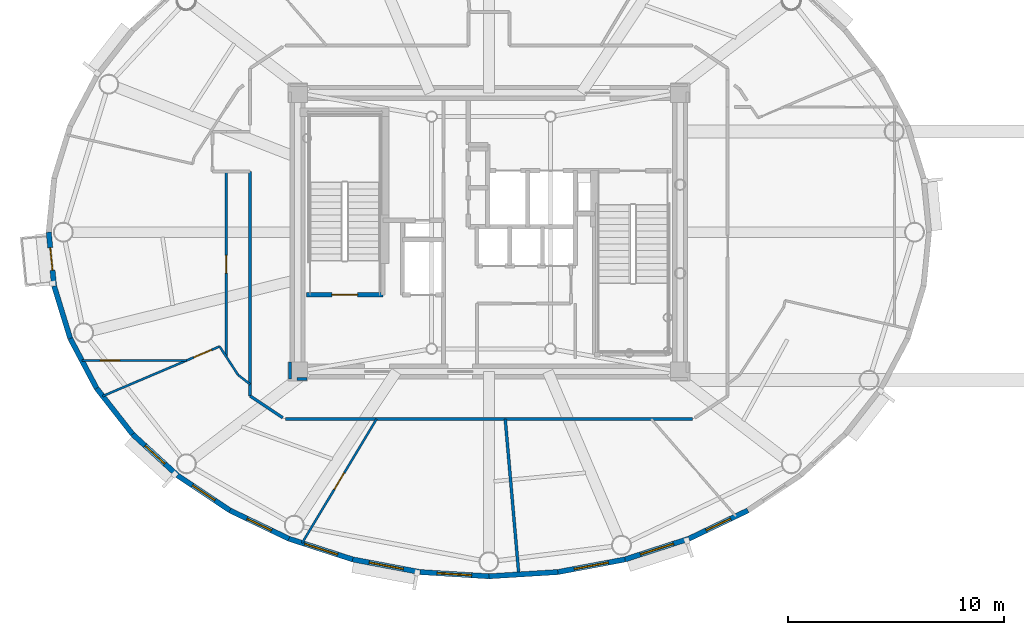
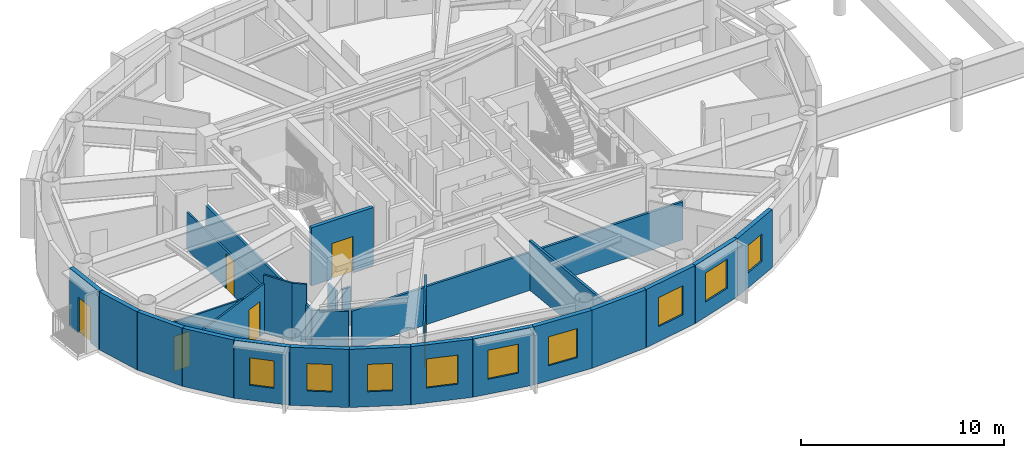
# One storey, part 6 of 16: 27 walls, 9 windows, 6 doors, 15 openings.
"""IFC4 building model written with IfcOpenShell, lengths in metres."""

from ifc_helpers import new_model, si_unit, direction, frame, frame_2d, origin, origin_2d, place, context, subcontext, project, spatial, rectangle, extrude, source, transform, mapped, material, layer, layer_set, type_object, element, fill, save


model = new_model("IFC4")

# Units and contexts
model_context = context("Model", 3, precision=1e-05, world=origin(), true_north=direction((0.0, 1.0)))
body_context = subcontext(model_context, "Body", "Model", "MODEL_VIEW")
ifc_project = project(units=[si_unit("LENGTHUNIT", "METRE"), si_unit("AREAUNIT", "SQUARE_METRE"), si_unit("VOLUMEUNIT", "CUBIC_METRE"), si_unit("PLANEANGLEUNIT", "RADIAN"), si_unit("MASSUNIT", "GRAM", prefix="KILO")], contexts=[model_context])

# Site, building, storey
site_placement = place(None, origin())
site = spatial("IfcSite", under=ifc_project, at=site_placement, CompositionType="ELEMENT")
building_placement = place(site_placement, origin())
building = spatial("IfcBuilding", under=site, at=building_placement, Name="Linh Dai School and Residence Tower", CompositionType="ELEMENT")
storey_placement = place(building_placement, frame((0.0, 0.0, 343.0)))
storey = spatial("IfcBuildingStorey", under=building, at=storey_placement, Name="L85", CompositionType="ELEMENT", Elevation=343.0)

# Wall, opening, door
ifc_material_1 = material(Name="Precast Concrete B45 (C35/45)", Category="concrete")
ifc_layer_1 = layer(ifc_material_1, 0.239990234375)
ifc_layer_set_1 = layer_set([ifc_layer_1], Name="Precast Concrete B45 (C35/45)")
wall_type_1 = type_object("IfcWallType", Name="EW-TC-240", PredefinedType="SOLIDWALL", material=ifc_layer_set_1)
wall_1_placement = place(storey_placement, frame((15.875, 24.51318359375, 0.0), z_axis=(0.0, 0.0, 1.0), x_axis=(-0.100025963401, 0.994984827344, 0.0)))
wall_1 = element("IfcWall", 1, at=wall_1_placement, inside=storey, type_object=wall_type_1, Name="L85 Terracotta Exterior Wall 21", PredefinedType="SOLIDWALL", context=body_context, shape_type="SweptSolid", body=[
    extrude(rectangle(XDim=2.499267578125, YDim=0.239990234375, at=frame_2d((1.24951171875, 0.0))), origin(), (0.0, 0.0, 1.0), 3.5),
])
opening_1_placement = place(wall_1_placement, frame((0.724609375, 0.0, 0.0)))
opening_1 = element("IfcOpeningElement", 2, at=opening_1_placement, cuts=wall_1, Name="Opening BD1", PredefinedType="OPENING", context=body_context, shape_type="SweptSolid", body=[
    extrude(rectangle(XDim=1.050048828125, YDim=2.14990234375, at=origin_2d()), frame((0.52490234375, 0.1298828125, 1.074951171875), z_axis=(0.0, -1.0, 0.0), x_axis=(1.0, 0.0, 0.0)), (0.0, 0.0, 1.0), 0.260009765625),
])
ifc_material_2 = material(Name="Double-Glazed Balcony Door", Category="glass")
door_type_1 = type_object("IfcDoorType", Name="DR-BALC-1050x2150", OperationType="NOTDEFINED", PredefinedType="DOOR", material=ifc_material_2)
shared_shape_1 = source(origin(), body_context, "Body", "SweptSolid", [
    extrude(rectangle(XDim=1.050048828125, YDim=2.14990234375, at=origin_2d()), frame((0.52490234375, 0.02490234375, 1.074951171875), z_axis=(0.0, -1.0, 0.0), x_axis=(1.0, 0.0, 0.0)), (0.0, 0.0, 1.0), 0.050048828125),
])
door_1_placement = place(opening_1_placement, origin())
door_1 = element("IfcDoor", 3, at=door_1_placement, inside=storey, type_object=door_type_1, Name="L85 Glazed Balcony Door 21", OperationType="SINGLE_SWING_LEFT", OverallHeight=2.14990234375, OverallWidth=1.050048828125, PredefinedType="DOOR", context=body_context, shape_type="MappedRepresentation", body=[
    mapped(shared_shape_1, transform((0.0, 0.0, 0.0), x_axis=(1.0, 0.0, 0.0), y_axis=(0.0, 1.0, 0.0), z_axis=(0.0, 0.0, 1.0), scale=1.0)),
])
fill(opening_1, door_1)

# Walls
wall_2_placement = place(storey_placement, frame((16.618896484375, 22.086669921875, 0.0), z_axis=(0.0, 0.0, 1.0), x_axis=(-0.293105547213, 0.956080089842, 0.0)))
element("IfcWall", 4, at=wall_2_placement, inside=storey, type_object=wall_type_1, Name="L85 Terracotta Exterior Wall 22", PredefinedType="SOLIDWALL", context=body_context, shape_type="SweptSolid", body=[
    extrude(rectangle(XDim=2.5380859375, YDim=0.239990234375, at=frame_2d((1.26904296875, 0.0))), origin(), (0.0, 0.0, 1.0), 3.5),
])
wall_3_placement = place(storey_placement, frame((17.839111328125, 19.779296875, 0.0), z_axis=(0.0, 0.0, 1.0), x_axis=(-0.467487999989, 0.883999417345, 0.0)))
element("IfcWall", 5, at=wall_3_placement, inside=storey, type_object=wall_type_1, Name="L85 Terracotta Exterior Wall 23", PredefinedType="SOLIDWALL", context=body_context, shape_type="SweptSolid", body=[
    extrude(rectangle(XDim=2.610107421875, YDim=0.239990234375, at=frame_2d((1.30517578125, 0.0))), origin(), (0.0, 0.0, 1.0), 3.5),
])
wall_4_placement = place(storey_placement, frame((19.5068359375, 17.648193359375, 0.0), z_axis=(0.0, 0.0, 1.0), x_axis=(-0.616286367698, 0.78752213492, 0.0)))
element("IfcWall", 6, at=wall_4_placement, inside=storey, type_object=wall_type_1, Name="L85 Terracotta Exterior Wall 24", PredefinedType="SOLIDWALL", context=body_context, shape_type="SweptSolid", body=[
    extrude(rectangle(XDim=2.7060546875, YDim=0.239990234375, at=frame_2d((1.35302734375, 0.0))), origin(), (0.0, 0.0, 1.0), 3.5),
])

# Wall, opening, window
wall_5_placement = place(storey_placement, frame((21.581298828125, 15.745849609375, 0.0), z_axis=(0.0, 0.0, 1.0), x_axis=(-0.737020907932, 0.675869944051, 0.0)))
wall_5 = element("IfcWall", 7, at=wall_5_placement, inside=storey, type_object=wall_type_1, Name="L85 Terracotta Exterior Wall 25", PredefinedType="SOLIDWALL", context=body_context, shape_type="SweptSolid", body=[
    extrude(rectangle(XDim=2.814697265625, YDim=0.239990234375, at=frame_2d((1.4072265625, 0.0))), origin(), (0.0, 0.0, 1.0), 3.5),
])
opening_2_placement = place(wall_5_placement, frame((0.781982421875, 0.0, 0.89990234375)))
opening_2 = element("IfcOpeningElement", 8, at=opening_2_placement, cuts=wall_5, Name="Opening W3", PredefinedType="OPENING", context=body_context, shape_type="SweptSolid", body=[
    extrude(rectangle(XDim=1.25, YDim=1.64990234375, at=origin_2d()), frame((0.625, 0.1298828125, 0.824951171875), z_axis=(0.0, -1.0, 0.0), x_axis=(1.0, 0.0, 0.0)), (0.0, 0.0, 1.0), 0.260009765625),
])
ifc_material_3 = material(Name="Double Low-E Insulated Glazing", Category="glass")
window_type_1 = type_object("IfcWindowType", Name="WN-RES-1250x1650", PartitioningType="SINGLE_PANEL", PredefinedType="WINDOW", material=ifc_material_3)
shared_shape_2 = source(origin(), body_context, "Body", "SweptSolid", [
    extrude(rectangle(XDim=1.25, YDim=1.64990234375, at=origin_2d()), frame((0.625, 0.030029296875, 0.824951171875), z_axis=(0.0, -1.0, 0.0), x_axis=(1.0, 0.0, 0.0)), (0.0, 0.0, 1.0), 0.06005859375),
])
window_1_placement = place(opening_2_placement, origin())
window_1 = element("IfcWindow", 9, at=window_1_placement, inside=storey, type_object=window_type_1, Name="L85 Exterior Window 25.1", OverallHeight=1.64990234375, OverallWidth=1.25, PartitioningType="SINGLE_PANEL", PredefinedType="WINDOW", context=body_context, shape_type="MappedRepresentation", body=[
    mapped(shared_shape_2, transform((0.0, 0.0, 0.0), x_axis=(1.0, 0.0, 0.0), y_axis=(0.0, 1.0, 0.0), z_axis=(0.0, 0.0, 1.0), scale=1.0)),
])
fill(opening_2, window_1)

wall_6_placement = place(storey_placement, frame((24.01220703125, 14.119873046875, 0.0), z_axis=(0.0, 0.0, 1.0), x_axis=(-0.831201688654, 0.555970999944, 0.0)))
wall_6 = element("IfcWall", 10, at=wall_6_placement, inside=storey, type_object=wall_type_1, Name="L85 Terracotta Exterior Wall 26", PredefinedType="SOLIDWALL", context=body_context, shape_type="SweptSolid", body=[
    extrude(rectangle(XDim=2.924560546875, YDim=0.239990234375, at=frame_2d((1.46240234375, 0.0))), origin(), (0.0, 0.0, 1.0), 3.5),
])
opening_3_placement = place(wall_6_placement, frame((0.837158203125, 0.0, 0.89990234375)))
opening_3 = element("IfcOpeningElement", 11, at=opening_3_placement, cuts=wall_6, Name="Opening W3", PredefinedType="OPENING", context=body_context, shape_type="SweptSolid", body=[
    extrude(rectangle(XDim=1.25, YDim=1.64990234375, at=origin_2d()), frame((0.625, 0.1298828125, 0.824951171875), z_axis=(0.0, -1.0, 0.0), x_axis=(1.0, 0.0, 0.0)), (0.0, 0.0, 1.0), 0.260009765625),
])
window_2_placement = place(opening_3_placement, origin())
window_2 = element("IfcWindow", 12, at=window_2_placement, inside=storey, type_object=window_type_1, Name="L85 Exterior Window 26.1", OverallHeight=1.64990234375, OverallWidth=1.25, PartitioningType="SINGLE_PANEL", PredefinedType="WINDOW", context=body_context, shape_type="MappedRepresentation", body=[
    mapped(shared_shape_2, transform((0.0, 0.0, 0.0), x_axis=(1.0, 0.0, 0.0), y_axis=(0.0, 1.0, 0.0), z_axis=(0.0, 0.0, 1.0), scale=1.0)),
])
fill(opening_3, window_2)

wall_7_placement = place(storey_placement, frame((26.739501953125, 12.81103515625, 0.0), z_axis=(0.0, 0.0, 1.0), x_axis=(-0.901557057889, 0.432660226241, 0.0)))
wall_7 = element("IfcWall", 13, at=wall_7_placement, inside=storey, type_object=wall_type_1, Name="L85 Terracotta Exterior Wall 27", PredefinedType="SOLIDWALL", context=body_context, shape_type="SweptSolid", body=[
    extrude(rectangle(XDim=3.025146484375, YDim=0.239990234375, at=frame_2d((1.5126953125, 0.0))), origin(), (0.0, 0.0, 1.0), 3.5),
])
opening_4_placement = place(wall_7_placement, frame((0.887451171875, 0.0, 0.89990234375)))
opening_4 = element("IfcOpeningElement", 14, at=opening_4_placement, cuts=wall_7, Name="Opening W3", PredefinedType="OPENING", context=body_context, shape_type="SweptSolid", body=[
    extrude(rectangle(XDim=1.25, YDim=1.64990234375, at=origin_2d()), frame((0.625, 0.1298828125, 0.824951171875), z_axis=(0.0, -1.0, 0.0), x_axis=(1.0, 0.0, 0.0)), (0.0, 0.0, 1.0), 0.260009765625),
])
window_3_placement = place(opening_4_placement, origin())
window_3 = element("IfcWindow", 15, at=window_3_placement, inside=storey, type_object=window_type_1, Name="L85 Exterior Window 27.1", OverallHeight=1.64990234375, OverallWidth=1.25, PartitioningType="SINGLE_PANEL", PredefinedType="WINDOW", context=body_context, shape_type="MappedRepresentation", body=[
    mapped(shared_shape_2, transform((0.0, 0.0, 0.0), x_axis=(1.0, 0.0, 0.0), y_axis=(0.0, 1.0, 0.0), z_axis=(0.0, 0.0, 1.0), scale=1.0)),
])
fill(opening_4, window_3)

wall_8_placement = place(storey_placement, frame((29.696044921875, 11.85205078125, 0.0), z_axis=(0.0, 0.0, 1.0), x_axis=(-0.951212850731, 0.308535431682, 0.0)))
wall_8 = element("IfcWall", 16, at=wall_8_placement, inside=storey, type_object=wall_type_1, Name="L85 Terracotta Exterior Wall 28", PredefinedType="SOLIDWALL", context=body_context, shape_type="SweptSolid", body=[
    extrude(rectangle(XDim=3.108154296875, YDim=0.239990234375, at=frame_2d((1.55419921875, 0.0))), origin(), (0.0, 0.0, 1.0), 3.5),
])
opening_5_placement = place(wall_8_placement, frame((0.734375, 0.0, 0.89990234375)))
opening_5 = element("IfcOpeningElement", 17, at=opening_5_placement, cuts=wall_8, Name="Opening W2", PredefinedType="OPENING", context=body_context, shape_type="SweptSolid", body=[
    extrude(rectangle(XDim=1.60009765625, YDim=1.75, at=origin_2d()), frame((0.800048828125, 0.1298828125, 0.875), z_axis=(0.0, -1.0, 0.0), x_axis=(1.0, 0.0, 0.0)), (0.0, 0.0, 1.0), 0.260009765625),
])
window_type_2 = type_object("IfcWindowType", Name="WN-RES-1600x1750", PartitioningType="DOUBLE_PANEL_VERTICAL", PredefinedType="WINDOW", material=ifc_material_3)
shared_shape_3 = source(origin(), body_context, "Body", "SweptSolid", [
    extrude(rectangle(XDim=1.60009765625, YDim=1.75, at=origin_2d()), frame((0.800048828125, 0.030029296875, 0.875), z_axis=(0.0, -1.0, 0.0), x_axis=(1.0, 0.0, 0.0)), (0.0, 0.0, 1.0), 0.06005859375),
])
window_4_placement = place(opening_5_placement, origin())
window_4 = element("IfcWindow", 18, at=window_4_placement, inside=storey, type_object=window_type_2, Name="L85 Exterior Window 28.1", OverallHeight=1.75, OverallWidth=1.60009765625, PartitioningType="DOUBLE_PANEL_VERTICAL", PredefinedType="WINDOW", context=body_context, shape_type="MappedRepresentation", body=[
    mapped(shared_shape_3, transform((0.0, 0.0, 0.0), x_axis=(1.0, 0.0, 0.0), y_axis=(0.0, 1.0, 0.0), z_axis=(0.0, 0.0, 1.0), scale=1.0)),
])
fill(opening_5, window_4)

wall_9_placement = place(storey_placement, frame((32.80859375, 11.2666015625, 0.0), z_axis=(0.0, 0.0, 1.0), x_axis=(-0.98276643264, 0.184851667226, 0.0)))
wall_9 = element("IfcWall", 19, at=wall_9_placement, inside=storey, type_object=wall_type_1, Name="L85 Terracotta Exterior Wall 29", PredefinedType="SOLIDWALL", context=body_context, shape_type="SweptSolid", body=[
    extrude(rectangle(XDim=3.167236328125, YDim=0.239990234375, at=frame_2d((1.58349609375, 0.0))), origin(), (0.0, 0.0, 1.0), 3.5),
])
opening_6_placement = place(wall_9_placement, frame((0.783447265625, 0.0, 0.89990234375)))
opening_6 = element("IfcOpeningElement", 20, at=opening_6_placement, cuts=wall_9, Name="Opening W2", PredefinedType="OPENING", context=body_context, shape_type="SweptSolid", body=[
    extrude(rectangle(XDim=1.60009765625, YDim=1.75, at=origin_2d()), frame((0.800048828125, 0.1298828125, 0.875), z_axis=(0.0, -1.0, 0.0), x_axis=(1.0, 0.0, 0.0)), (0.0, 0.0, 1.0), 0.260009765625),
])
window_5_placement = place(opening_6_placement, origin())
window_5 = element("IfcWindow", 21, at=window_5_placement, inside=storey, type_object=window_type_2, Name="L85 Exterior Window 29.1", OverallHeight=1.75, OverallWidth=1.60009765625, PartitioningType="DOUBLE_PANEL_VERTICAL", PredefinedType="WINDOW", context=body_context, shape_type="MappedRepresentation", body=[
    mapped(shared_shape_3, transform((0.0, 0.0, 0.0), x_axis=(1.0, 0.0, 0.0), y_axis=(0.0, 1.0, 0.0), z_axis=(0.0, 0.0, 1.0), scale=1.0)),
])
fill(opening_6, window_5)

wall_10_placement = place(storey_placement, frame((36.0, 11.070068359375, 0.0), z_axis=(0.0, 0.0, 1.0), x_axis=(-0.998109204399, 0.061465568355, 0.0)))
wall_10 = element("IfcWall", 22, at=wall_10_placement, inside=storey, type_object=wall_type_1, Name="L85 Terracotta Exterior Wall 30", PredefinedType="SOLIDWALL", context=body_context, shape_type="SweptSolid", body=[
    extrude(rectangle(XDim=3.197509765625, YDim=0.239990234375, at=frame_2d((1.5986328125, 0.0))), origin(), (0.0, 0.0, 1.0), 3.5),
])
opening_7_placement = place(wall_10_placement, frame((0.798828125, 0.0, 0.89990234375)))
opening_7 = element("IfcOpeningElement", 23, at=opening_7_placement, cuts=wall_10, Name="Opening W2", PredefinedType="OPENING", context=body_context, shape_type="SweptSolid", body=[
    extrude(rectangle(XDim=1.60009765625, YDim=1.75, at=origin_2d()), frame((0.800048828125, 0.1298828125, 0.875), z_axis=(0.0, -1.0, 0.0), x_axis=(1.0, 0.0, 0.0)), (0.0, 0.0, 1.0), 0.260009765625),
])
window_6_placement = place(opening_7_placement, origin())
window_6 = element("IfcWindow", 24, at=window_6_placement, inside=storey, type_object=window_type_2, Name="L85 Exterior Window 30.1", OverallHeight=1.75, OverallWidth=1.60009765625, PartitioningType="DOUBLE_PANEL_VERTICAL", PredefinedType="WINDOW", context=body_context, shape_type="MappedRepresentation", body=[
    mapped(shared_shape_3, transform((0.0, 0.0, 0.0), x_axis=(1.0, 0.0, 0.0), y_axis=(0.0, 1.0, 0.0), z_axis=(0.0, 0.0, 1.0), scale=1.0)),
])
fill(opening_7, window_6)

# Wall
wall_11_placement = place(storey_placement, frame((39.19140625, 11.2666015625, 0.0), z_axis=(0.0, 0.0, 1.0), x_axis=(-0.998109204399, -0.061465568355, 0.0)))
element("IfcWall", 25, at=wall_11_placement, inside=storey, type_object=wall_type_1, Name="L85 Terracotta Exterior Wall 31", PredefinedType="SOLIDWALL", context=body_context, shape_type="SweptSolid", body=[
    extrude(rectangle(XDim=3.197509765625, YDim=0.239990234375, at=frame_2d((1.5986328125, 0.0))), origin(), (0.0, 0.0, 1.0), 3.5),
])

# Wall, opening, window
wall_12_placement = place(storey_placement, frame((42.303955078125, 11.85205078125, 0.0), z_axis=(0.0, 0.0, 1.0), x_axis=(-0.98276643264, -0.184851667226, 0.0)))
wall_12 = element("IfcWall", 26, at=wall_12_placement, inside=storey, type_object=wall_type_1, Name="L85 Terracotta Exterior Wall 32", PredefinedType="SOLIDWALL", context=body_context, shape_type="SweptSolid", body=[
    extrude(rectangle(XDim=3.167236328125, YDim=0.239990234375, at=frame_2d((1.58349609375, 0.0))), origin(), (0.0, 0.0, 1.0), 3.5),
])
opening_8_placement = place(wall_12_placement, frame((0.78369140625, 0.0, 0.89990234375)))
opening_8 = element("IfcOpeningElement", 27, at=opening_8_placement, cuts=wall_12, Name="Opening W2", PredefinedType="OPENING", context=body_context, shape_type="SweptSolid", body=[
    extrude(rectangle(XDim=1.60009765625, YDim=1.75, at=origin_2d()), frame((0.800048828125, 0.1298828125, 0.875), z_axis=(0.0, -1.0, 0.0), x_axis=(1.0, 0.0, 0.0)), (0.0, 0.0, 1.0), 0.260009765625),
])
window_7_placement = place(opening_8_placement, origin())
window_7 = element("IfcWindow", 28, at=window_7_placement, inside=storey, type_object=window_type_2, Name="L85 Exterior Window 32.1", OverallHeight=1.75, OverallWidth=1.60009765625, PartitioningType="DOUBLE_PANEL_VERTICAL", PredefinedType="WINDOW", context=body_context, shape_type="MappedRepresentation", body=[
    mapped(shared_shape_3, transform((0.0, 0.0, 0.0), x_axis=(1.0, 0.0, 0.0), y_axis=(0.0, 1.0, 0.0), z_axis=(0.0, 0.0, 1.0), scale=1.0)),
])
fill(opening_8, window_7)

wall_13_placement = place(storey_placement, frame((45.260498046875, 12.81103515625, 0.0), z_axis=(0.0, 0.0, 1.0), x_axis=(-0.951212850731, -0.308535431682, 0.0)))
wall_13 = element("IfcWall", 29, at=wall_13_placement, inside=storey, type_object=wall_type_1, Name="L85 Terracotta Exterior Wall 33", PredefinedType="SOLIDWALL", context=body_context, shape_type="SweptSolid", body=[
    extrude(rectangle(XDim=3.108154296875, YDim=0.239990234375, at=frame_2d((1.55419921875, 0.0))), origin(), (0.0, 0.0, 1.0), 3.5),
])
opening_9_placement = place(wall_13_placement, frame((0.754150390625, 0.0, 0.89990234375)))
opening_9 = element("IfcOpeningElement", 30, at=opening_9_placement, cuts=wall_13, Name="Opening W2", PredefinedType="OPENING", context=body_context, shape_type="SweptSolid", body=[
    extrude(rectangle(XDim=1.60009765625, YDim=1.75, at=origin_2d()), frame((0.800048828125, 0.1298828125, 0.875), z_axis=(0.0, -1.0, 0.0), x_axis=(1.0, 0.0, 0.0)), (0.0, 0.0, 1.0), 0.260009765625),
])
window_8_placement = place(opening_9_placement, origin())
window_8 = element("IfcWindow", 31, at=window_8_placement, inside=storey, type_object=window_type_2, Name="L85 Exterior Window 33.1", OverallHeight=1.75, OverallWidth=1.60009765625, PartitioningType="DOUBLE_PANEL_VERTICAL", PredefinedType="WINDOW", context=body_context, shape_type="MappedRepresentation", body=[
    mapped(shared_shape_3, transform((0.0, 0.0, 0.0), x_axis=(1.0, 0.0, 0.0), y_axis=(0.0, 1.0, 0.0), z_axis=(0.0, 0.0, 1.0), scale=1.0)),
])
fill(opening_9, window_8)

wall_14_placement = place(storey_placement, frame((47.98779296875, 14.119873046875, 0.0), z_axis=(0.0, 0.0, 1.0), x_axis=(-0.901557057889, -0.432660226241, 0.0)))
wall_14 = element("IfcWall", 32, at=wall_14_placement, inside=storey, type_object=wall_type_1, Name="L85 Terracotta Exterior Wall 34", PredefinedType="SOLIDWALL", context=body_context, shape_type="SweptSolid", body=[
    extrude(rectangle(XDim=3.025146484375, YDim=0.239990234375, at=frame_2d((1.5126953125, 0.0))), origin(), (0.0, 0.0, 1.0), 3.5),
])
opening_10_placement = place(wall_14_placement, frame((0.8876953125, 0.0, 0.89990234375)))
opening_10 = element("IfcOpeningElement", 33, at=opening_10_placement, cuts=wall_14, Name="Opening W3", PredefinedType="OPENING", context=body_context, shape_type="SweptSolid", body=[
    extrude(rectangle(XDim=1.25, YDim=1.64990234375, at=origin_2d()), frame((0.625, 0.1298828125, 0.824951171875), z_axis=(0.0, -1.0, 0.0), x_axis=(1.0, 0.0, 0.0)), (0.0, 0.0, 1.0), 0.260009765625),
])
window_9_placement = place(opening_10_placement, origin())
window_9 = element("IfcWindow", 34, at=window_9_placement, inside=storey, type_object=window_type_1, Name="L85 Exterior Window 34.1", OverallHeight=1.64990234375, OverallWidth=1.25, PartitioningType="SINGLE_PANEL", PredefinedType="WINDOW", context=body_context, shape_type="MappedRepresentation", body=[
    mapped(shared_shape_2, transform((0.0, 0.0, 0.0), x_axis=(1.0, 0.0, 0.0), y_axis=(0.0, 1.0, 0.0), z_axis=(0.0, 0.0, 1.0), scale=1.0)),
])
fill(opening_10, window_9)

# Walls
ifc_material_4 = material(Name="Autoclaved Aerated Concrete Blockwork", Category="masonry")
ifc_layer_2 = layer(ifc_material_4, 0.135009765625)
ifc_layer_set_2 = layer_set([ifc_layer_2], Name="Autoclaved Aerated Concrete Blockwork")
wall_type_2 = type_object("IfcWallType", Name="IW-CORR-135-EI90", PredefinedType="PARTITIONING", material=ifc_layer_set_2)
wall_15_placement = place(storey_placement, frame((24.949951171875, 19.41748046875, 0.0), z_axis=(0.0, 0.0, 1.0), x_axis=(0.0, 1.0, 0.0)))
element("IfcWall", 35, at=wall_15_placement, inside=storey, type_object=wall_type_2, Name="L85 Interior Partition Wall 013", PredefinedType="PARTITIONING", context=body_context, shape_type="SweptSolid", body=[
    extrude(rectangle(XDim=10.382568359375, YDim=0.135009765625, at=frame_2d((5.19140625, 0.0))), origin(), (0.0, 0.0, 1.0), 2.284912109375),
])
wall_16_placement = place(storey_placement, frame((24.949951171875, 19.41748046875, 0.0), z_axis=(0.0, 0.0, 1.0), x_axis=(0.831180227396, -0.556003084151, 0.0)))
element("IfcWall", 36, at=wall_16_placement, inside=storey, type_object=wall_type_2, Name="L85 Interior Partition Wall 014", PredefinedType="PARTITIONING", context=body_context, shape_type="SweptSolid", body=[
    extrude(rectangle(XDim=1.815185546875, YDim=0.135009765625, at=frame_2d((0.90771484375, 0.0))), origin(), (0.0, 0.0, 1.0), 2.284912109375),
])
wall_17_placement = place(storey_placement, frame((26.580078125, 18.35009765625, 0.0), z_axis=(0.0, 0.0, 1.0), x_axis=(1.0, 0.0, 0.0)))
element("IfcWall", 37, at=wall_17_placement, inside=storey, type_object=wall_type_2, Name="L85 Interior Partition Wall 017", PredefinedType="PARTITIONING", context=body_context, shape_type="SweptSolid", body=[
    extrude(rectangle(XDim=18.83984375, YDim=0.135009765625, at=frame_2d((9.419921875, 0.0))), origin(), (0.0, 0.0, 1.0), 2.284912109375),
])
wall_18_placement = place(storey_placement, frame((36.7568359375, 18.35009765625, 0.0), z_axis=(0.0, 0.0, 1.0), x_axis=(0.087154378737, -0.996194817426, 0.0)))
element("IfcWall", 38, at=wall_18_placement, inside=storey, type_object=wall_type_2, Name="L85 Interior Partition Wall 043", PredefinedType="PARTITIONING", context=body_context, shape_type="SweptSolid", body=[
    extrude(rectangle(XDim=7.227294921875, YDim=0.135009765625, at=frame_2d((3.61376953125, 0.0))), origin(), (0.0, 0.0, 1.0), 2.985107421875),
])
wall_19_placement = place(storey_placement, frame((26.800048828125, 20.989990234375, 0.0), z_axis=(0.0, 0.0, 1.0), x_axis=(0.0, -1.0, 0.0)))
element("IfcWall", 39, at=wall_19_placement, inside=storey, type_object=wall_type_2, Name="L85 Interior Partition Wall 076", PredefinedType="PARTITIONING", context=body_context, shape_type="SweptSolid", body=[
    extrude(rectangle(XDim=0.7900390625, YDim=0.135009765625, at=frame_2d((0.39501953125, 0.0))), origin(), (0.0, 0.0, 1.0), 2.284912109375),
])
wall_20_placement = place(storey_placement, frame((27.107421875, 20.199951171875, 0.0), z_axis=(0.0, 0.0, 1.0), x_axis=(1.0, 0.0, 0.0)))
element("IfcWall", 40, at=wall_20_placement, inside=storey, type_object=wall_type_2, Name="L85 Interior Partition Wall 077", PredefinedType="PARTITIONING", context=body_context, shape_type="SweptSolid", body=[
    extrude(rectangle(XDim=0.482666015625, YDim=0.135009765625, at=frame_2d((0.2412109375, 0.0))), origin(), (0.0, 0.0, 1.0), 2.284912109375),
])

# Wall, opening, door
ifc_material_5 = material(Name="Concrete B45 (C35/45)", Category="concrete")
ifc_layer_3 = layer(ifc_material_5, 0.199951171875)
ifc_layer_set_3 = layer_set([ifc_layer_3], Name="Concrete B45 (C35/45)")
wall_type_3 = type_object("IfcWallType", Name="IW-SHAFT-200-EI120", PredefinedType="PARTITIONING", material=ifc_layer_set_3)
wall_21_placement = place(storey_placement, frame((27.56005859375, 24.10009765625, 0.0), z_axis=(0.0, 0.0, 1.0), x_axis=(1.0, 0.0, 0.0)))
wall_21 = element("IfcWall", 41, at=wall_21_placement, inside=storey, type_object=wall_type_3, Name="L85 Interior Partition Wall 020", PredefinedType="PARTITIONING", context=body_context, shape_type="SweptSolid", body=[
    extrude(rectangle(XDim=3.5400390625, YDim=0.199951171875, at=frame_2d((1.77001953125, 0.0))), origin(), (0.0, 0.0, 1.0), 3.5),
])
opening_11_placement = place(wall_21_placement, frame((1.169921875, 0.0, 0.0)))
opening_11 = element("IfcOpeningElement", 42, at=opening_11_placement, cuts=wall_21, Name="Opening D01", PredefinedType="OPENING", context=body_context, shape_type="SweptSolid", body=[
    extrude(rectangle(XDim=1.199951171875, YDim=2.14990234375, at=origin_2d()), frame((0.60009765625, 0.10986328125, 1.074951171875), z_axis=(0.0, -1.0, 0.0), x_axis=(1.0, 0.0, 0.0)), (0.0, 0.0, 1.0), 0.219970703125),
])
ifc_material_6 = material(Name="Fire-Rated Steel Door Leaf", Category="steel")
door_type_2 = type_object("IfcDoorType", Name="DR-STAIR-1200x2150-FD90S", OperationType="NOTDEFINED", PredefinedType="DOOR", material=ifc_material_6)
shared_shape_4 = source(origin(), body_context, "Body", "SweptSolid", [
    extrude(rectangle(XDim=1.199951171875, YDim=2.14990234375, at=origin_2d()), frame((0.60009765625, 0.02490234375, 1.074951171875), z_axis=(0.0, -1.0, 0.0), x_axis=(1.0, 0.0, 0.0)), (0.0, 0.0, 1.0), 0.050048828125),
])
door_2_placement = place(opening_11_placement, origin())
door_2 = element("IfcDoor", 43, at=door_2_placement, inside=storey, type_object=door_type_2, Name="L85 Core Smokeproof Exit Stair ST1 Door", OperationType="SINGLE_SWING_LEFT", OverallHeight=2.14990234375, OverallWidth=1.199951171875, PredefinedType="DOOR", context=body_context, shape_type="MappedRepresentation", body=[
    mapped(shared_shape_4, transform((0.0, 0.0, 0.0), x_axis=(1.0, 0.0, 0.0), y_axis=(0.0, 1.0, 0.0), z_axis=(0.0, 0.0, 1.0), scale=1.0)),
])
fill(opening_11, door_2)

ifc_material_7 = material(Name="Gypsum Plasterboard Acoustic Stud Partition", Category="masonry")
ifc_layer_4 = layer(ifc_material_7, 0.10009765625)
ifc_layer_set_4 = layer_set([ifc_layer_4], Name="Gypsum Plasterboard Acoustic Stud Partition")
wall_type_4 = type_object("IfcWallType", Name="IW-UNIT-100", PredefinedType="PARTITIONING", material=ifc_layer_set_4)
wall_22_placement = place(storey_placement, frame((17.15625, 21.059814453125, 0.0), z_axis=(0.0, 0.0, 1.0), x_axis=(1.0, 0.0, 0.0)))
wall_22 = element("IfcWall", 44, at=wall_22_placement, inside=storey, type_object=wall_type_4, Name="L85 Interior Partition Wall 002", PredefinedType="PARTITIONING", context=body_context, shape_type="SweptSolid", body=[
    extrude(rectangle(XDim=4.84912109375, YDim=0.10009765625, at=frame_2d((2.424560546875, 0.0))), origin(), (0.0, 0.0, 1.0), 2.985107421875),
])
opening_12_placement = place(wall_22_placement, frame((0.86181640625, 0.0, 0.0)))
opening_12 = element("IfcOpeningElement", 45, at=opening_12_placement, cuts=wall_22, Name="Opening D05", PredefinedType="OPENING", context=body_context, shape_type="SweptSolid", body=[
    extrude(rectangle(XDim=0.89990234375, YDim=2.10009765625, at=origin_2d()), frame((0.449951171875, 0.06005859375, 1.050048828125), z_axis=(0.0, -1.0, 0.0), x_axis=(1.0, 0.0, 0.0)), (0.0, 0.0, 1.0), 0.1201171875),
])
ifc_material_8 = material(Name="Engineered Timber Internal Door", Category="wood")
door_type_3 = type_object("IfcDoorType", Name="DR-INT-900x2100", OperationType="NOTDEFINED", PredefinedType="DOOR", material=ifc_material_8)
shared_shape_5 = source(origin(), body_context, "Body", "SweptSolid", [
    extrude(rectangle(XDim=0.89990234375, YDim=2.10009765625, at=origin_2d()), frame((0.449951171875, 0.02490234375, 1.050048828125), z_axis=(0.0, -1.0, 0.0), x_axis=(1.0, 0.0, 0.0)), (0.0, 0.0, 1.0), 0.050048828125),
])
door_3_placement = place(opening_12_placement, origin())
door_3 = element("IfcDoor", 46, at=door_3_placement, inside=storey, type_object=door_type_3, Name="L85 Apartment U8501 Kitchen Door", OperationType="SINGLE_SWING_RIGHT", OverallHeight=2.10009765625, OverallWidth=0.89990234375, PredefinedType="DOOR", context=body_context, shape_type="MappedRepresentation", body=[
    mapped(shared_shape_5, transform((0.0, 0.0, 0.0), x_axis=(1.0, 0.0, 0.0), y_axis=(0.0, 1.0, 0.0), z_axis=(0.0, 0.0, 1.0), scale=1.0)),
])
fill(opening_12, door_3)

wall_23_placement = place(storey_placement, frame((18.12109375, 19.410888671875, 0.0), z_axis=(0.0, 0.0, 1.0), x_axis=(0.920507145492, 0.390725728739, 0.0)))
wall_23 = element("IfcWall", 47, at=wall_23_placement, inside=storey, type_object=wall_type_4, Name="L85 Interior Partition Wall 003", PredefinedType="PARTITIONING", context=body_context, shape_type="SweptSolid", body=[
    extrude(rectangle(XDim=5.881591796875, YDim=0.10009765625, at=frame_2d((2.94091796875, 0.0))), origin(), (0.0, 0.0, 1.0), 2.985107421875),
])
opening_13_placement = place(wall_23_placement, frame((4.5810546875, 0.0, 0.0)))
opening_13 = element("IfcOpeningElement", 48, at=opening_13_placement, cuts=wall_23, Name="Opening D05", PredefinedType="OPENING", context=body_context, shape_type="SweptSolid", body=[
    extrude(rectangle(XDim=0.89990234375, YDim=2.10009765625, at=origin_2d()), frame((0.449951171875, 0.06005859375, 1.050048828125), z_axis=(0.0, -1.0, 0.0), x_axis=(1.0, 0.0, 0.0)), (0.0, 0.0, 1.0), 0.1201171875),
])
door_4_placement = place(opening_13_placement, origin())
door_4 = element("IfcDoor", 49, at=door_4_placement, inside=storey, type_object=door_type_3, Name="L85 Apartment U8501 Principal Bedroom 3 Door", OperationType="SINGLE_SWING_LEFT", OverallHeight=2.10009765625, OverallWidth=0.89990234375, PredefinedType="DOOR", context=body_context, shape_type="MappedRepresentation", body=[
    mapped(shared_shape_5, transform((0.0, 0.0, 0.0), x_axis=(1.0, 0.0, 0.0), y_axis=(0.0, 1.0, 0.0), z_axis=(0.0, 0.0, 1.0), scale=1.0)),
])
fill(opening_13, door_4)

# Wall
wall_24_placement = place(storey_placement, frame((23.53515625, 21.708984375, 0.0), z_axis=(0.0, 0.0, 1.0), x_axis=(0.545327464497, -0.838223094686, 0.0)))
element("IfcWall", 50, at=wall_24_placement, inside=storey, type_object=wall_type_4, Name="L85 Interior Partition Wall 009", PredefinedType="PARTITIONING", context=body_context, shape_type="SweptSolid", body=[
    extrude(rectangle(XDim=1.568603515625, YDim=0.10009765625, at=frame_2d((0.7841796875, 0.0))), origin(), (0.0, 0.0, 1.0), 3.5),
])

# Wall, opening, door
wall_25_placement = place(storey_placement, frame((23.845947265625, 21.231201171875, 0.0), z_axis=(0.0, 0.0, 1.0), x_axis=(0.0, 1.0, 0.0)))
wall_25 = element("IfcWall", 51, at=wall_25_placement, inside=storey, type_object=wall_type_4, Name="L85 Interior Partition Wall 010", PredefinedType="PARTITIONING", context=body_context, shape_type="SweptSolid", body=[
    extrude(rectangle(XDim=8.56884765625, YDim=0.10009765625, at=frame_2d((4.284423828125, 0.0))), origin(), (0.0, 0.0, 1.0), 2.284912109375),
])
opening_14_placement = place(wall_25_placement, frame((3.87451171875, 0.0, 0.0)))
opening_14 = element("IfcOpeningElement", 52, at=opening_14_placement, cuts=wall_25, Name="Opening D06", PredefinedType="OPENING", context=body_context, shape_type="SweptSolid", body=[
    extrude(rectangle(XDim=0.820068359375, YDim=2.10009765625, at=origin_2d()), frame((0.41015625, 0.06005859375, 1.050048828125), z_axis=(0.0, -1.0, 0.0), x_axis=(1.0, 0.0, 0.0)), (0.0, 0.0, 1.0), 0.1201171875),
])
ifc_material_9 = material(Name="Moisture-Resistant Timber Bathroom Door", Category="wood")
door_type_4 = type_object("IfcDoorType", Name="DR-WET-820x2100", OperationType="NOTDEFINED", PredefinedType="DOOR", material=ifc_material_9)
shared_shape_6 = source(origin(), body_context, "Body", "SweptSolid", [
    extrude(rectangle(XDim=0.820068359375, YDim=2.10009765625, at=origin_2d()), frame((0.41015625, 0.02490234375, 1.050048828125), z_axis=(0.0, -1.0, 0.0), x_axis=(1.0, 0.0, 0.0)), (0.0, 0.0, 1.0), 0.050048828125),
])
door_5_placement = place(opening_14_placement, origin())
door_5 = element("IfcDoor", 53, at=door_5_placement, inside=storey, type_object=door_type_4, Name="L85 Apartment U8501 Bathroom 1 Door", OperationType="SINGLE_SWING_LEFT", OverallHeight=2.10009765625, OverallWidth=0.820068359375, PredefinedType="DOOR", context=body_context, shape_type="MappedRepresentation", body=[
    mapped(shared_shape_6, transform((0.0, 0.0, 0.0), x_axis=(1.0, 0.0, 0.0), y_axis=(0.0, 1.0, 0.0), z_axis=(0.0, 0.0, 1.0), scale=1.0)),
])
fill(opening_14, door_5)

# Wall
wall_26_placement = place(storey_placement, frame((24.390625, 20.394287109375, 0.0), z_axis=(0.0, 0.0, 1.0), x_axis=(0.787164110493, -0.616743595956, 0.0)))
element("IfcWall", 54, at=wall_26_placement, inside=storey, type_object=wall_type_4, Name="L85 Interior Partition Wall 011", PredefinedType="PARTITIONING", context=body_context, shape_type="SweptSolid", body=[
    extrude(rectangle(XDim=0.71044921875, YDim=0.10009765625, at=frame_2d((0.355224609375, 0.0))), origin(), (0.0, 0.0, 1.0), 3.5),
])

# Wall, opening, door
wall_27_placement = place(storey_placement, frame((27.351806640625, 12.607177734375, 0.0), z_axis=(0.0, 0.0, 1.0), x_axis=(0.515036887737, 0.857168014026, 0.0)))
wall_27 = element("IfcWall", 55, at=wall_27_placement, inside=storey, type_object=wall_type_4, Name="L85 Interior Partition Wall 019", PredefinedType="PARTITIONING", context=body_context, shape_type="SweptSolid", body=[
    extrude(rectangle(XDim=6.699951171875, YDim=0.10009765625, at=frame_2d((3.35009765625, 0.0))), origin(), (0.0, 0.0, 1.0), 2.985107421875),
])
opening_15_placement = place(wall_27_placement, frame((2.89990234375, 0.0, 0.0)))
opening_15 = element("IfcOpeningElement", 56, at=opening_15_placement, cuts=wall_27, Name="Opening D05", PredefinedType="OPENING", context=body_context, shape_type="SweptSolid", body=[
    extrude(rectangle(XDim=0.89990234375, YDim=2.10009765625, at=origin_2d()), frame((0.449951171875, 0.06005859375, 1.050048828125), z_axis=(0.0, -1.0, 0.0), x_axis=(1.0, 0.0, 0.0)), (0.0, 0.0, 1.0), 0.1201171875),
])
door_6_placement = place(opening_15_placement, origin())
door_6 = element("IfcDoor", 57, at=door_6_placement, inside=storey, type_object=door_type_3, Name="L85 Apartment U8501 Principal Bedroom 4 Door", OperationType="SINGLE_SWING_RIGHT", OverallHeight=2.10009765625, OverallWidth=0.89990234375, PredefinedType="DOOR", context=body_context, shape_type="MappedRepresentation", body=[
    mapped(shared_shape_5, transform((0.0, 0.0, 0.0), x_axis=(1.0, 0.0, 0.0), y_axis=(0.0, 1.0, 0.0), z_axis=(0.0, 0.0, 1.0), scale=1.0)),
])
fill(opening_15, door_6)

save(model, "model.ifc")
